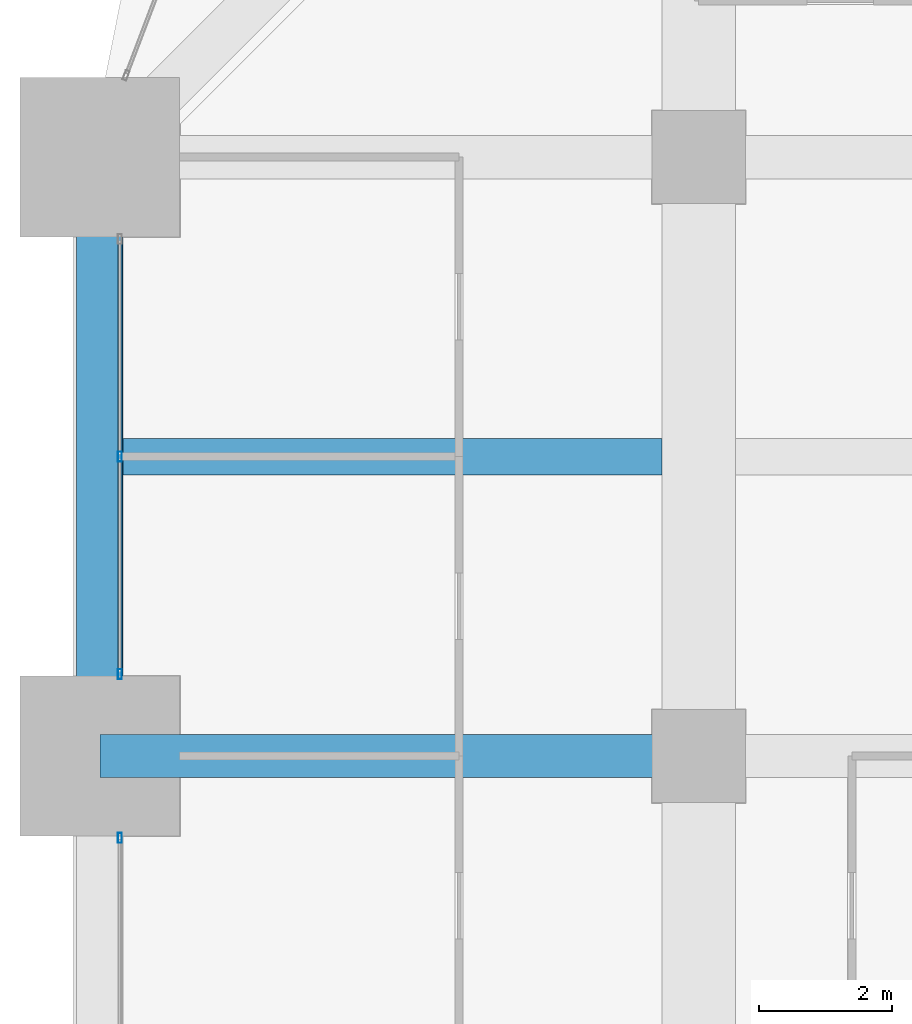
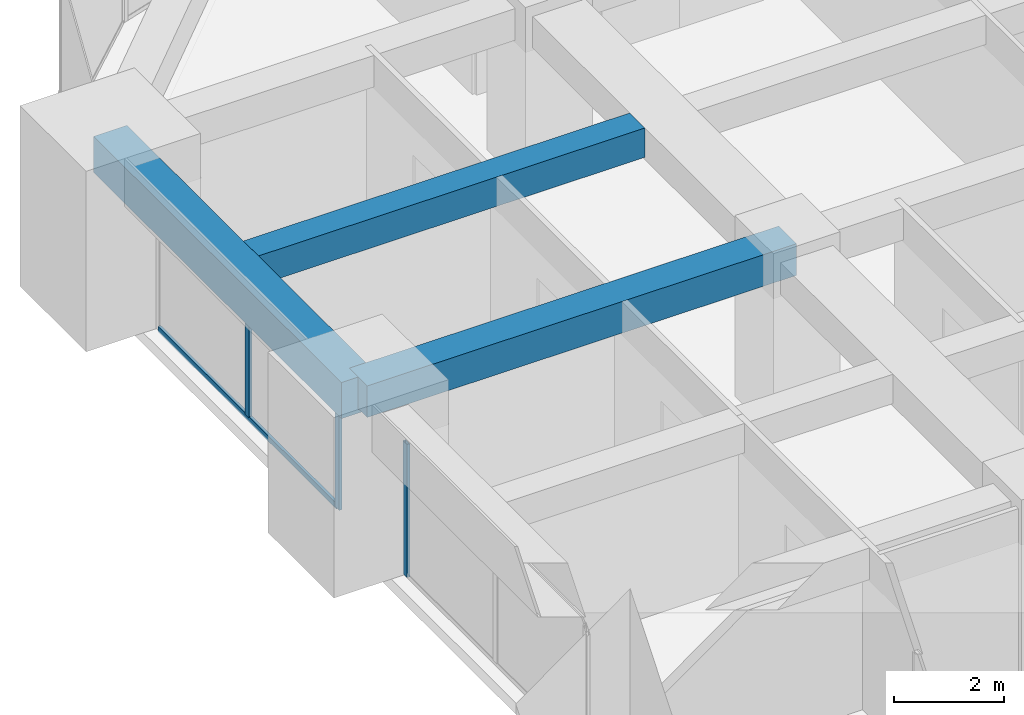
# One storey, part 11 of 34: 4 members, 3 beams, 2 elements without a shape of their own.
"""IFC4 building model written with IfcOpenShell, lengths in metres."""

from ifc_helpers import new_model, si_unit, direction, frame, origin, origin_2d, place, context, subcontext, project, spatial, rectangle, hollow_rectangle, extrude, material, material_profile, profile_set, type_object, element, aggregate, save


model = new_model("IFC4")

# Units and contexts
model_context = context("Model", 3, precision=1e-05, world=origin(), true_north=direction((0.0, 1.0)))
body_context = subcontext(model_context, "Body", "Model", "MODEL_VIEW")
ifc_project = project(units=[si_unit("LENGTHUNIT", "METRE"), si_unit("AREAUNIT", "SQUARE_METRE"), si_unit("VOLUMEUNIT", "CUBIC_METRE"), si_unit("PLANEANGLEUNIT", "RADIAN"), si_unit("MASSUNIT", "GRAM", prefix="KILO")], contexts=[model_context])

# Site, building, storey
site_placement = place(None, origin())
site = spatial("IfcSite", under=ifc_project, at=site_placement, CompositionType="ELEMENT")
building_placement = place(site_placement, origin())
building = spatial("IfcBuilding", under=site, at=building_placement, Name="Zorevar Civic Tower", CompositionType="ELEMENT")
storey_placement = place(building_placement, frame((0.0, 0.0, 214.199951171875)))
storey = spatial("IfcBuildingStorey", under=building, at=storey_placement, Name="L52", CompositionType="ELEMENT", Elevation=214.199951171875)

# Beams
ifc_material_1 = material(Name="Concrete C50/60", Category="concrete")
ifc_material_profile_1 = material_profile(ifc_material_1, rectangle(XDim=0.550048828125, YDim=0.64990234375, at=origin_2d()), Name="RC 550x650")
ifc_profile_set_1 = profile_set([ifc_material_profile_1], Name="Concrete C50/60")
beam_type_1 = type_object("IfcBeamType", Name="Beam RC 550x650", PredefinedType="BEAM", material=ifc_profile_set_1)
beam_1_placement = place(storey_placement, frame((0.35009765625, 31.5, 3.425048828125), z_axis=(1.0, 0.0, 0.0), x_axis=(0.0, 1.0, 0.0)))
element("IfcBeam", 1, at=beam_1_placement, inside=storey, type_object=beam_type_1, Name="Secondary beam L53", PredefinedType="BEAM", context=body_context, shape_type="SweptSolid", body=[
    extrude(rectangle(XDim=0.550048828125, YDim=0.64990234375, at=origin_2d()), origin(), (0.0, 0.0, 1.0), 8.099853515625),
])
ifc_material_2 = material(Name="Concrete C50/60", Category="concrete")
ifc_material_profile_2 = material_profile(ifc_material_2, rectangle(XDim=0.64990234375, YDim=0.699951171875, at=origin_2d()), Name="RC 650x700")
ifc_profile_set_2 = profile_set([ifc_material_profile_2], Name="Concrete C50/60")
beam_type_2 = type_object("IfcBeamType", Name="Beam RC 650x700", PredefinedType="BEAM", material=ifc_profile_set_2)
beam_2_placement = place(storey_placement, frame((0.0, 27.0, 3.400146484375), z_axis=(1.0, 0.0, 0.0), x_axis=(0.0, 1.0, 0.0)))
element("IfcBeam", 2, at=beam_2_placement, inside=storey, type_object=beam_type_2, Name="Girder L53", PredefinedType="BEAM", context=body_context, shape_type="SweptSolid", body=[
    extrude(rectangle(XDim=0.64990234375, YDim=0.699951171875, at=origin_2d()), origin(), (0.0, 0.0, 1.0), 9.0),
])

# Curtain wall, member
ifc_material_3 = material(Name="Dark grey solar-control glass in black aluminium frame", Category="aluminium")
curtain_wall_type = type_object("IfcCurtainWallType", Name="Curtain wall CW4 high zone", PredefinedType="NOTDEFINED", material=ifc_material_3)
curtain_wall_1_placement = place(storey_placement, origin())
curtain_wall_1 = element("IfcCurtainWall", 3, at=curtain_wall_1_placement, inside=storey, type_object=curtain_wall_type, Name="CW4 L52", PredefinedType="NOTDEFINED")
ifc_material_4 = material(Name="Aluminium, black anodised", Category="aluminium")
ifc_material_profile_3 = material_profile(ifc_material_4, hollow_rectangle(XDim=0.06005859375, YDim=0.14990234375, WallThickness=0.00390625, at=origin_2d()), Name="AL 150x60x4")
ifc_profile_set_3 = profile_set([ifc_material_profile_3], Name="Aluminium, black anodised")
member_type_1 = type_object("IfcMemberType", Name="CW4 mullion AL 150x60x4", PredefinedType="MULLION", material=ifc_profile_set_3)
member_1_placement = place(storey_placement, frame((0.300048828125, 25.77001953125, 0.0), z_axis=(0.0, 0.0, 1.0), x_axis=(-1.0, 0.0, 0.0)))
member_1 = element("IfcMember", 4, at=member_1_placement, type_object=member_type_1, Name="CW4 mullion 3", PredefinedType="MULLION", context=body_context, shape_type="SweptSolid", body=[
    extrude(hollow_rectangle(XDim=0.06005859375, YDim=0.14990234375, WallThickness=0.00390625, at=origin_2d()), origin(), (0.0, 0.0, 1.0), 2.949951171875),
])
aggregate(curtain_wall_1, [member_1])

# Curtain wall, members
curtain_wall_2_placement = place(storey_placement, origin())
curtain_wall_2 = element("IfcCurtainWall", 5, at=curtain_wall_2_placement, inside=storey, type_object=curtain_wall_type, Name="CW4 L52", PredefinedType="NOTDEFINED")
member_2_placement = place(storey_placement, frame((0.300048828125, 28.22998046875, 0.0), z_axis=(0.0, 0.0, 1.0), x_axis=(-1.0, 0.0, 0.0)))
member_2 = element("IfcMember", 6, at=member_2_placement, type_object=member_type_1, Name="CW4 mullion 1", PredefinedType="MULLION", context=body_context, shape_type="SweptSolid", body=[
    extrude(hollow_rectangle(XDim=0.06005859375, YDim=0.14990234375, WallThickness=0.00390625, at=origin_2d()), origin(), (0.0, 0.0, 1.0), 2.949951171875),
])
member_3_placement = place(storey_placement, frame((0.300048828125, 31.5, 0.06005859375), z_axis=(0.0, 0.0, 1.0), x_axis=(-1.0, 0.0, 0.0)))
member_3 = element("IfcMember", 7, at=member_3_placement, type_object=member_type_1, Name="CW4 mullion 2", PredefinedType="MULLION", context=body_context, shape_type="SweptSolid", body=[
    extrude(hollow_rectangle(XDim=0.06005859375, YDim=0.14990234375, WallThickness=0.00390625, at=origin_2d()), origin(), (0.0, 0.0, 1.0), 2.889892578125),
])
ifc_material_5 = material(Name="Aluminium, black anodised", Category="aluminium")
ifc_material_profile_4 = material_profile(ifc_material_5, hollow_rectangle(XDim=0.06005859375, YDim=0.1201171875, WallThickness=0.0029296875, at=origin_2d()), Name="AL 120x60x3")
ifc_profile_set_4 = profile_set([ifc_material_profile_4], Name="Aluminium, black anodised")
member_type_2 = type_object("IfcMemberType", Name="CW4 transom AL 120x60x3", PredefinedType="USERDEFINED", material=ifc_profile_set_4)
member_4_placement = place(storey_placement, frame((0.300048828125, 28.260009765625, 0.030029296875), z_axis=(0.0, 1.0, 0.0), x_axis=(-1.0, 0.0, 0.0)))
member_4 = element("IfcMember", 8, at=member_4_placement, type_object=member_type_2, Name="CW4 sill transom", ObjectType="TRANSOM", PredefinedType="USERDEFINED", context=body_context, shape_type="SweptSolid", body=[
    extrude(hollow_rectangle(XDim=0.06005859375, YDim=0.1201171875, WallThickness=0.0029296875, at=origin_2d()), origin(), (0.0, 0.0, 1.0), 6.47998046875),
])
aggregate(curtain_wall_2, [member_2, member_3, member_4])

# Beam
ifc_material_6 = material(Name="Concrete C50/60", Category="concrete")
ifc_material_profile_5 = material_profile(ifc_material_6, rectangle(XDim=0.699951171875, YDim=0.800048828125, at=origin_2d()), Name="RC 700x800")
ifc_profile_set_5 = profile_set([ifc_material_profile_5], Name="Concrete C50/60")
beam_type_3 = type_object("IfcBeamType", Name="Edge beam RC 700x800", PredefinedType="SPANDREL", material=ifc_profile_set_5)
beam_3_placement = place(storey_placement, frame((0.0, 27.0, 3.35009765625), z_axis=(0.0, 1.0, 0.0), x_axis=(-1.0, 0.0, 0.0)))
element("IfcBeam", 9, at=beam_3_placement, inside=storey, type_object=beam_type_3, Name="Edge beam L53", PredefinedType="SPANDREL", context=body_context, shape_type="SweptSolid", body=[
    extrude(rectangle(XDim=0.699951171875, YDim=0.800048828125, at=origin_2d()), origin(), (0.0, 0.0, 1.0), 9.0),
])

save(model, "model.ifc")
